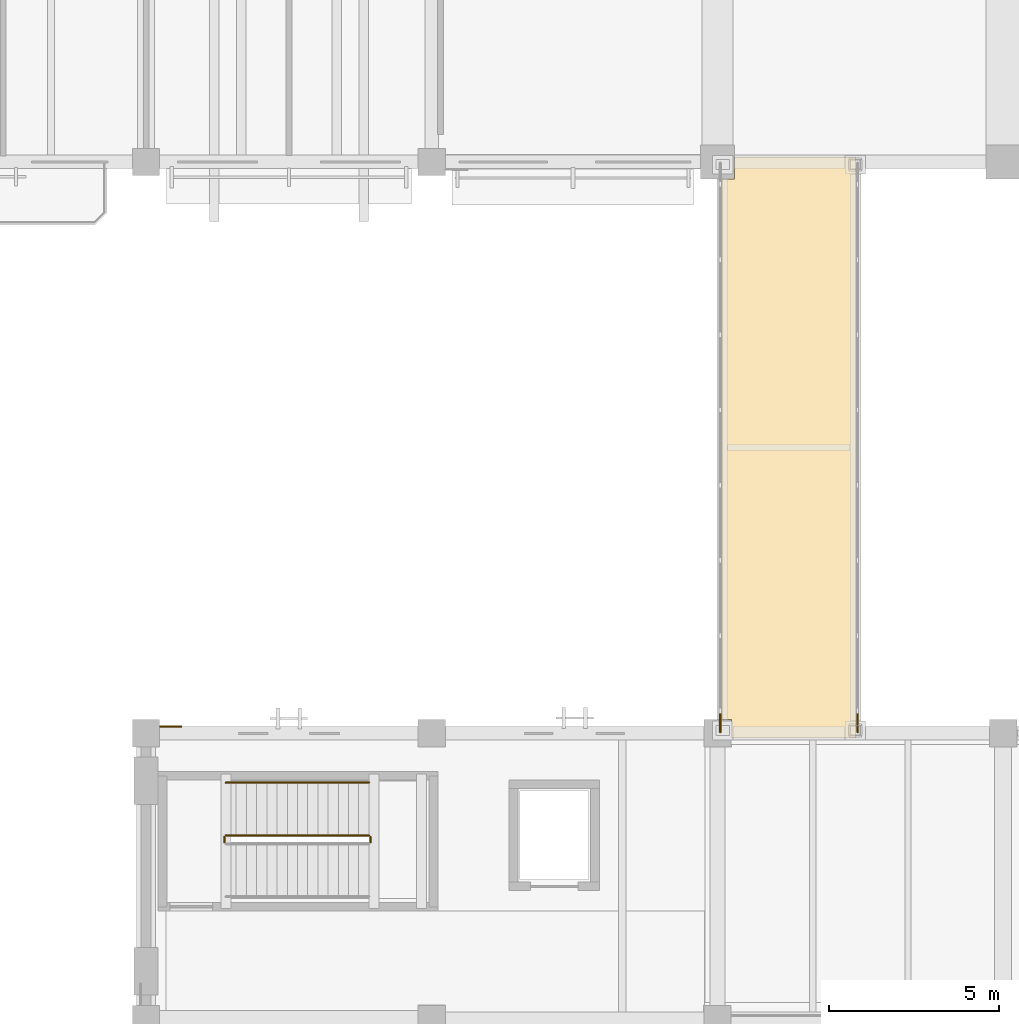
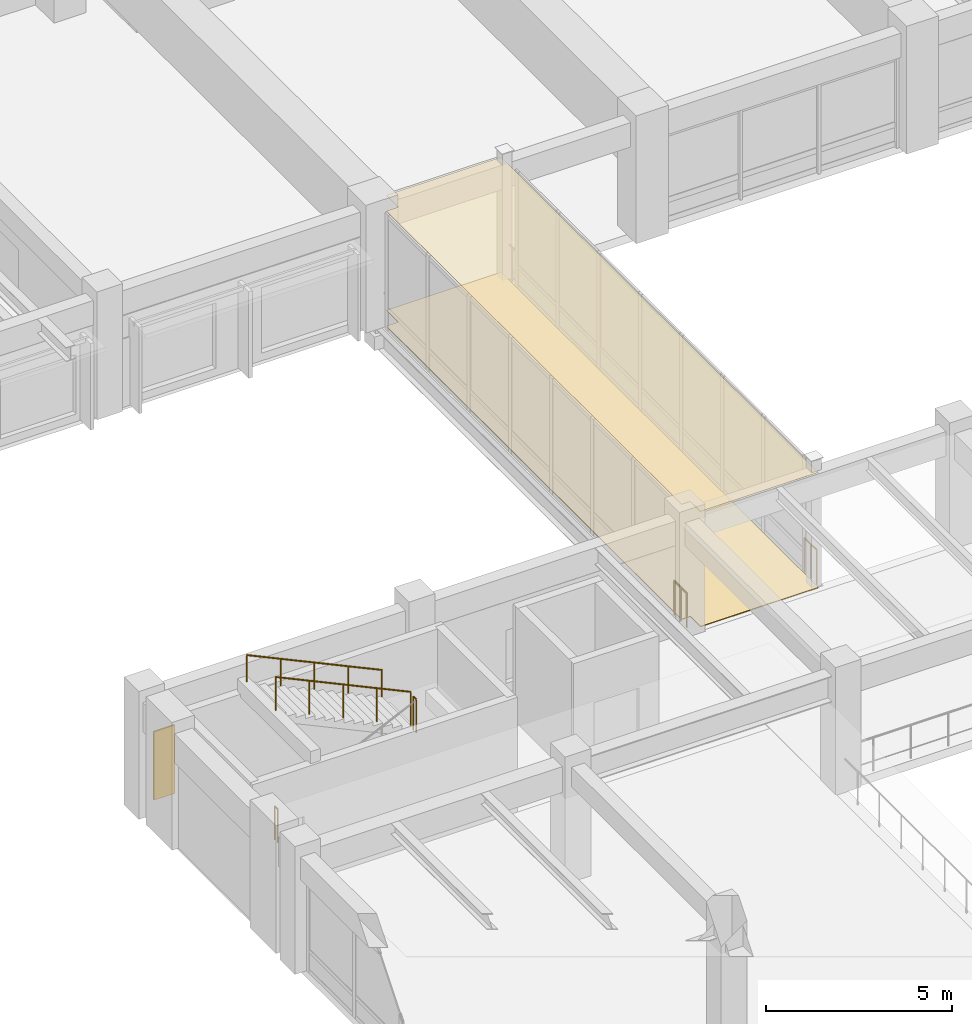
# One storey, part 112 of 132: 6 railings, 3 coverings.
"""IFC4 building model written with IfcOpenShell, lengths in metres."""

from ifc_helpers import new_model, si_unit, direction, frame, origin, origin_2d, place, context, subcontext, project, spatial, polyline, circle, outline, extrude, material, layer, layer_set, type_object, element, save


model = new_model("IFC4")

# Units and contexts
model_context = context("Model", 3, precision=1e-05, world=origin(), true_north=direction((0.0, 1.0)))
body_context = subcontext(model_context, "Body", "Model", "MODEL_VIEW")
ifc_project = project(units=[si_unit("LENGTHUNIT", "METRE"), si_unit("AREAUNIT", "SQUARE_METRE"), si_unit("VOLUMEUNIT", "CUBIC_METRE"), si_unit("PLANEANGLEUNIT", "RADIAN"), si_unit("MASSUNIT", "GRAM", prefix="KILO")], contexts=[model_context])

# Site, building, storey
site_placement = place(None, origin())
site = spatial("IfcSite", under=ifc_project, at=site_placement, CompositionType="ELEMENT")
building_placement = place(site_placement, origin())
building = spatial("IfcBuilding", under=site, at=building_placement, Name="Cumbredor Promenade Congress Hotel", CompositionType="ELEMENT")
storey_placement = place(building_placement, frame((0.0, 0.0, 7.56005859375)))
storey = spatial("IfcBuildingStorey", under=building, at=storey_placement, Name="L02", CompositionType="ELEMENT", Elevation=7.56005859375)

# Coverings
ifc_material_1 = material(Name="Acoustic mineral-fiber and gypsum ceiling")
ifc_layer_1 = layer(ifc_material_1, 0.01806640625, Name="Acoustic mineral-fiber and gypsum ceiling")
ifc_layer_set_1 = layer_set([ifc_layer_1], Name="Acoustic mineral-fiber and gypsum ceiling")
covering_type_1 = type_object("IfcCoveringType", Name="Acoustic Perforated Gypsum Ceiling CLG-01 18mm", PredefinedType="CEILING", material=ifc_layer_set_1)
covering_1_placement = place(storey_placement, frame((0.0, 0.0, 3.781982421875)))
element("IfcCovering", 1, at=covering_1_placement, inside=storey, type_object=covering_type_1, Name="L02 West Congress-to-Hotel Glazed Bridge Concourse Acoustic Ceiling", PredefinedType="CEILING", context=body_context, shape_type="SweptSolid", body=[
    extrude(outline(polyline([(29.27001953125, 67.06005859375), (25.60498046875, 67.06005859375), (25.60498046875, 67.60498046875), (25.330078125, 67.60498046875), (25.330078125, 83.4951171875), (25.705078125, 83.4951171875), (25.705078125, 84.139892578125), (29.27001953125, 84.139892578125), (29.27001953125, 67.06005859375)])), origin(), (0.0, 0.0, 1.0), 0.01806640625),
])
ifc_material_2 = material(Name="Precast concrete C40/50", Category="concrete")
ifc_layer_2 = layer(ifc_material_2, 0.044921875, Name="Precast concrete C40/50", Category="concrete")
ifc_layer_set_2 = layer_set([ifc_layer_2], Name="Precast concrete C40/50")
covering_type_2 = type_object("IfcCoveringType", Name="Board-Formed Architectural Cladding Panel 45mm", PredefinedType="CLADDING", material=ifc_layer_set_2)
covering_2_placement = place(storey_placement, origin())
element("IfcCovering", 2, at=covering_2_placement, inside=storey, type_object=covering_type_2, Name="L02 Facade Stone Cladding Pier 096", PredefinedType="CLADDING", context=body_context, shape_type="SweptSolid", body=[
    extrude(outline(polyline([(8.801025390625, 67.375), (9.450927734375, 67.375), (9.450927734375, 67.419921875), (8.801025390625, 67.419921875), (8.801025390625, 67.375)])), origin(), (0.0, 0.0, 1.0), 2.25),
])

# Railings
ifc_material_3 = material(Name="Brushed stainless steel", Category="steel")
railing_type_1 = type_object("IfcRailingType", Name="Interior Void & Stair Guardrail GR-1100", PredefinedType="GUARDRAIL", material=ifc_material_3)
railing_1_placement = place(storey_placement, frame((15.0, 64.0, 2.099853515625)))
element("IfcRailing", 3, at=railing_1_placement, inside=storey, type_object=railing_type_1, Name="L02 ST-06 stair guard 2", PredefinedType="GUARDRAIL", context=body_context, shape_type="SweptSolid", body=[
    extrude(circle(Radius=0.02392578125, at=origin_2d()), frame((0.0, 0.0, 1.09619140625), z_axis=(0.0, 1.0, 0.0), x_axis=(-1.0, 0.0, 0.0)), (0.0, 0.0, 1.0), 0.14990234375),
    extrude(circle(Radius=0.02099609375, at=origin_2d()), origin(), (0.0, 0.0, 1.0), 1.072021484375),
    extrude(circle(Radius=0.02099609375, at=origin_2d()), frame((0.0, 0.14990234375, 0.0)), (0.0, 0.0, 1.0), 1.072021484375),
])
railing_2_placement = place(storey_placement, frame((14.949951171875, 64.199951171875, 2.239990234375)))
element("IfcRailing", 4, at=railing_2_placement, inside=storey, type_object=railing_type_1, Name="L02 ST-06 stair guard 3", PredefinedType="GUARDRAIL", context=body_context, shape_type="SweptSolid", body=[
    extrude(circle(Radius=0.02392578125, at=origin_2d()), frame((0.0, 0.0, 1.09619140625), z_axis=(-0.906184485727, 0.0, 0.422882581609), x_axis=(0.0, -1.0, 0.0)), (0.0, 0.0, 1.0), 4.634765625),
    extrude(circle(Radius=0.02099609375, at=origin_2d()), origin(), (0.0, 0.0, 1.0), 1.072021484375),
    extrude(circle(Radius=0.02099609375, at=origin_2d()), frame((-1.050048828125, 0.0, 0.489990234375)), (0.0, 0.0, 1.0), 1.072021484375),
    extrude(circle(Radius=0.02099609375, at=origin_2d()), frame((-2.10009765625, 0.0, 0.97998046875)), (0.0, 0.0, 1.0), 1.072021484375),
    extrude(circle(Radius=0.02099609375, at=origin_2d()), frame((-3.14990234375, 0.0, 1.469970703125)), (0.0, 0.0, 1.0), 1.072021484375),
    extrude(circle(Radius=0.02099609375, at=origin_2d()), frame((-4.199951171875, 0.0, 1.9599609375)), (0.0, 0.0, 1.0), 1.072021484375),
])
railing_3_placement = place(storey_placement, frame((10.699951171875, 64.0, 0.0)))
element("IfcRailing", 5, at=railing_3_placement, inside=storey, type_object=railing_type_1, Name="L02 ST-06 stair guard 4", PredefinedType="GUARDRAIL", context=body_context, shape_type="SweptSolid", body=[
    extrude(circle(Radius=0.02392578125, at=origin_2d()), frame((0.0, 0.0, 1.09619140625), z_axis=(0.0, 1.0, 0.0), x_axis=(-1.0, 0.0, 0.0)), (0.0, 0.0, 1.0), 0.14990234375),
    extrude(circle(Radius=0.02099609375, at=origin_2d()), origin(), (0.0, 0.0, 1.0), 1.072021484375),
    extrude(circle(Radius=0.02099609375, at=origin_2d()), frame((0.0, 0.14990234375, 0.0)), (0.0, 0.0, 1.0), 1.072021484375),
])

# Covering
ifc_material_4 = material(Name="Porcelain stoneware tile", Category="masonry")
ifc_layer_3 = layer(ifc_material_4, 0.02490234375, Name="Porcelain stoneware tile", Category="masonry")
ifc_layer_set_3 = layer_set([ifc_layer_3], Name="Porcelain stoneware tile")
covering_type_3 = type_object("IfcCoveringType", Name="Porcelain Stoneware Flooring FLR-02 25mm", PredefinedType="FLOORING", material=ifc_layer_set_3)
covering_3_placement = place(storey_placement, origin())
element("IfcCovering", 6, at=covering_3_placement, inside=storey, type_object=covering_type_3, Name="L02 West Congress-to-Hotel Glazed Bridge Concourse Porcelain Flooring", PredefinedType="FLOORING", context=body_context, shape_type="SweptSolid", body=[
    extrude(outline(polyline([(29.27001953125, 67.06005859375), (25.60498046875, 67.06005859375), (25.60498046875, 67.60498046875), (25.330078125, 67.60498046875), (25.330078125, 83.4951171875), (25.705078125, 83.4951171875), (25.705078125, 84.139892578125), (29.27001953125, 84.139892578125), (29.27001953125, 67.06005859375)])), origin(), (0.0, 0.0, 1.0), 0.02490234375),
])

# Railings
railing_type_2 = type_object("IfcRailingType", Name="Sky Garden Glass-and-Steel Balustrade BAL-1150", PredefinedType="BALUSTRADE", material=ifc_material_3)
for number, where, name in (
    (7, (25.280029296875, 67.22998046875, 0.0), "L02 West Congress-to-Hotel Glazed Bridge End Guardrail SW"),
    (8, (29.320068359375, 67.22998046875, 0.0), "L02 West Congress-to-Hotel Glazed Bridge End Guardrail SE"),
):
    element("IfcRailing", number, at=place(storey_placement, frame(where)), inside=storey, type_object=railing_type_2, Name=name, PredefinedType="BALUSTRADE", context=body_context, shape_type="SweptSolid", body=[
        extrude(circle(Radius=0.02392578125, at=origin_2d()), frame((0.0, 0.0, 1.1259765625), z_axis=(0.0, 1.0, 0.0), x_axis=(-1.0, 0.0, 0.0)), (0.0, 0.0, 1.0), 0.669921875),
        extrude(circle(Radius=0.02099609375, at=origin_2d()), origin(), (0.0, 0.0, 1.0), 1.101806640625),
        extrude(circle(Radius=0.02099609375, at=origin_2d()), frame((0.0, 0.3349609375, 0.0)), (0.0, 0.0, 1.0), 1.101806640625),
        extrude(circle(Radius=0.02099609375, at=origin_2d()), frame((0.0, 0.669921875, 0.0)), (0.0, 0.0, 1.0), 1.101806640625),
    ])
railing_type_3 = type_object("IfcRailingType", Name="Stair Pitch Handrail HR-900", PredefinedType="HANDRAIL", material=ifc_material_3)
railing_4_placement = place(storey_placement, frame((14.949951171875, 65.75, 2.239990234375)))
element("IfcRailing", 9, at=railing_4_placement, inside=storey, type_object=railing_type_3, Name="L02 ST-06 stair handrail 2", PredefinedType="HANDRAIL", context=body_context, shape_type="SweptSolid", body=[
    extrude(circle(Radius=0.02392578125, at=origin_2d()), frame((0.0, 0.0, 0.8759765625), z_axis=(-0.906184485727, 0.0, 0.422882581609), x_axis=(0.0, -1.0, 0.0)), (0.0, 0.0, 1.0), 4.634765625),
    extrude(circle(Radius=0.02099609375, at=origin_2d()), origin(), (0.0, 0.0, 1.0), 0.851806640625),
    extrude(circle(Radius=0.02099609375, at=origin_2d()), frame((-1.050048828125, 0.0, 0.489990234375)), (0.0, 0.0, 1.0), 0.851806640625),
    extrude(circle(Radius=0.02099609375, at=origin_2d()), frame((-2.10009765625, 0.0, 0.97998046875)), (0.0, 0.0, 1.0), 0.851806640625),
    extrude(circle(Radius=0.02099609375, at=origin_2d()), frame((-3.14990234375, 0.0, 1.469970703125)), (0.0, 0.0, 1.0), 0.851806640625),
    extrude(circle(Radius=0.02099609375, at=origin_2d()), frame((-4.199951171875, 0.0, 1.9599609375)), (0.0, 0.0, 1.0), 0.851806640625),
])

save(model, "model.ifc")
